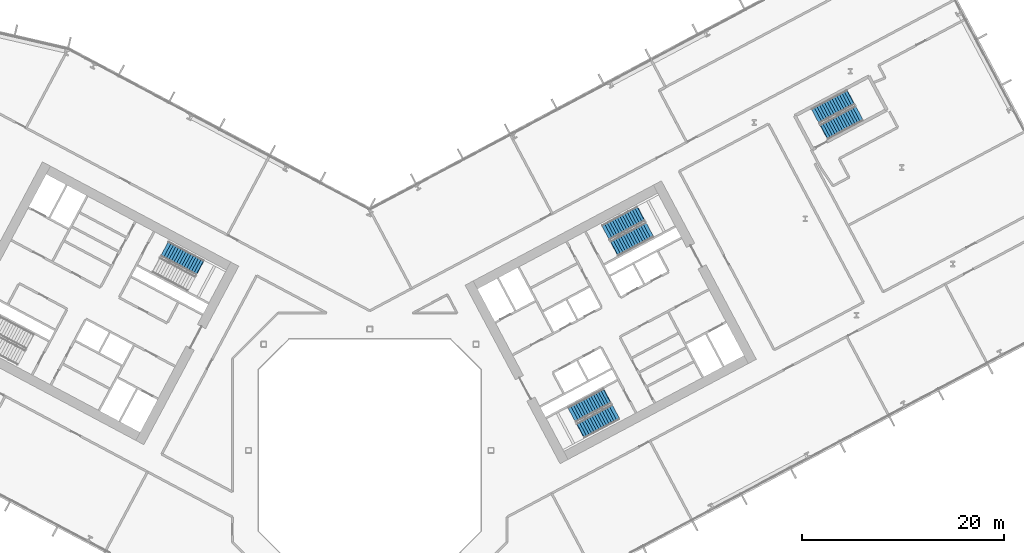
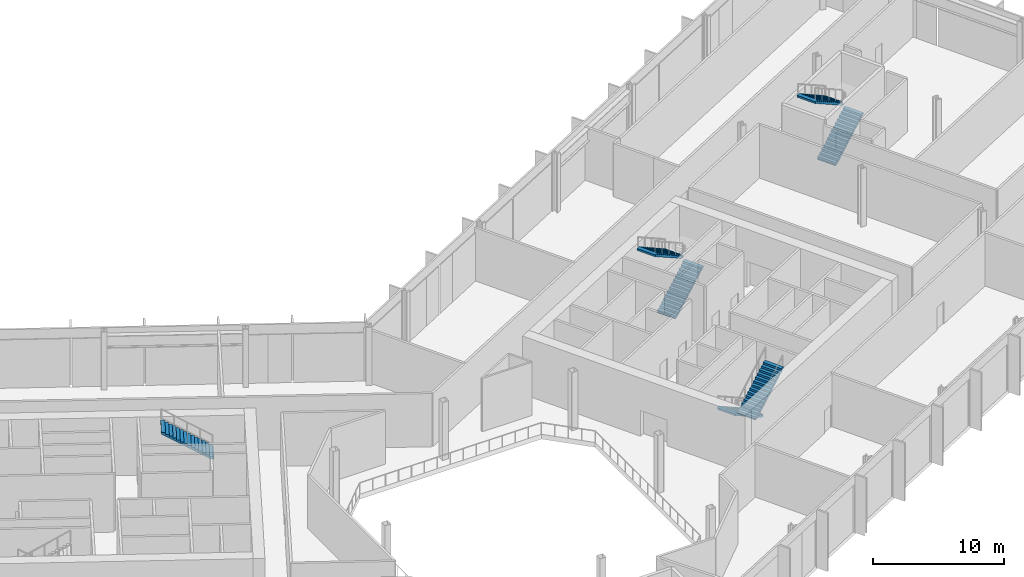
# One storey, part 19 of 32: 7 stair flights, 4 elements without a shape of their own.
"""IFC4 building model written with IfcOpenShell, lengths in metres."""

from ifc_helpers import new_model, si_unit, direction, frame, origin, place, context, subcontext, project, spatial, polyline, outline, extrude, material, type_object, element, aggregate, save


model = new_model("IFC4")

# Units and contexts
model_context = context("Model", 3, precision=1e-05, world=origin(), true_north=direction((0.0, 1.0)))
body_context = subcontext(model_context, "Body", "Model", "MODEL_VIEW")
ifc_project = project(units=[si_unit("LENGTHUNIT", "METRE"), si_unit("AREAUNIT", "SQUARE_METRE"), si_unit("VOLUMEUNIT", "CUBIC_METRE"), si_unit("PLANEANGLEUNIT", "RADIAN"), si_unit("MASSUNIT", "GRAM", prefix="KILO")], contexts=[model_context])

# Site, building, storey
site_placement = place(None, origin())
site = spatial("IfcSite", under=ifc_project, at=site_placement, CompositionType="ELEMENT")
building_placement = place(site_placement, origin())
building = spatial("IfcBuilding", under=site, at=building_placement, Name="Cormorant Relay Tower", CompositionType="ELEMENT")
storey_placement = place(building_placement, frame((0.0, 0.0, 28.39990234375)))
storey = spatial("IfcBuildingStorey", under=building, at=storey_placement, Name="L05", CompositionType="ELEMENT", Elevation=28.39990234375)

# Stair, stair flight
ifc_material_1 = material(Name="Concrete 40 MPa", Category="concrete")
stair_type = type_object("IfcStairType", Name="Exit stair 1500", PredefinedType="HALF_TURN_STAIR", material=ifc_material_1)
stair_1_placement = place(storey_placement, origin())
stair_1 = element("IfcStair", 1, at=stair_1_placement, inside=storey, type_object=stair_type, Name="L05 Stair", PredefinedType="HALF_TURN_STAIR")
ifc_material_2 = material(Name="Concrete 40 MPa", Category="concrete")
stair_flight_type = type_object("IfcStairFlightType", Name="Exit stair flight 1650", PredefinedType="STRAIGHT", material=ifc_material_2)
stair_flight_1_placement = place(storey_placement, frame((-16.80810546875, 18.08251953125, 2.7001953125), z_axis=(0.0, 0.0, 1.0), x_axis=(-0.882947592859, 0.469471562786, 0.0)))
stair_flight_1 = element("IfcStairFlight", 2, at=stair_flight_1_placement, type_object=stair_flight_type, Name="A1 flight 2", NumberOfRisers=15, NumberOfTreads=14, PredefinedType="STRAIGHT", RiserHeight=0.18, TreadLength=0.28, context=body_context, shape_type="SweptSolid", body=[
    extrude(outline(polyline([(-0.050048828125, -0.080078125), (-0.050048828125, 0.0), (0.0, 0.0), (0.0, 0.179931640625), (0.280029296875, 0.179931640625), (0.280029296875, 0.360107421875), (0.56005859375, 0.360107421875), (0.56005859375, 0.5400390625), (0.840087890625, 0.5400390625), (0.840087890625, 0.719970703125), (1.1201171875, 0.719970703125), (1.1201171875, 0.89990234375), (1.39990234375, 0.89990234375), (1.39990234375, 1.080078125), (1.679931640625, 1.080078125), (1.679931640625, 1.260009765625), (1.9599609375, 1.260009765625), (1.9599609375, 1.43994140625), (2.239990234375, 1.43994140625), (2.239990234375, 1.6201171875), (2.52001953125, 1.6201171875), (2.52001953125, 1.800048828125), (2.800048828125, 1.800048828125), (2.800048828125, 1.97998046875), (3.080078125, 1.97998046875), (3.080078125, 2.159912109375), (3.360107421875, 2.159912109375), (3.360107421875, 2.340087890625), (3.639892578125, 2.340087890625), (3.639892578125, 2.52001953125), (3.919921875, 2.52001953125), (3.969970703125, 2.52001953125), (3.969970703125, 2.341796875), (3.919921875, 2.341796875), (0.277099609375, 0.0), (-0.050048828125, -0.080078125)])), frame((0.0, 0.824951171875, 0.0), z_axis=(0.0, -1.0, 0.0), x_axis=(1.0, 0.0, 0.0)), (0.0, 0.0, 1.0), 1.64990234375),
])
aggregate(stair_1, [stair_flight_1])

# Stair, stair flights
stair_2_placement = place(storey_placement, origin())
stair_2 = element("IfcStair", 3, at=stair_2_placement, inside=storey, type_object=stair_type, Name="L05 Stair", PredefinedType="HALF_TURN_STAIR")
stair_flight_2_placement = place(storey_placement, frame((23.474365234375, 5.374755859375, 0.0), z_axis=(0.0, 0.0, 1.0), x_axis=(-0.882947592859, -0.469471562786, 0.0)))
stair_flight_2 = element("IfcStairFlight", 4, at=stair_flight_2_placement, type_object=stair_flight_type, Name="B1 flight 1", NumberOfRisers=15, NumberOfTreads=14, PredefinedType="STRAIGHT", RiserHeight=0.18, TreadLength=0.28, context=body_context, shape_type="SweptSolid", body=[
    extrude(outline(polyline([(-0.050048828125, -0.080078125), (-0.050048828125, 0.0), (0.0, 0.0), (0.0, 0.179931640625), (0.280029296875, 0.179931640625), (0.280029296875, 0.360107421875), (0.56005859375, 0.360107421875), (0.56005859375, 0.5400390625), (0.840087890625, 0.5400390625), (0.840087890625, 0.719970703125), (1.1201171875, 0.719970703125), (1.1201171875, 0.89990234375), (1.39990234375, 0.89990234375), (1.39990234375, 1.080078125), (1.679931640625, 1.080078125), (1.679931640625, 1.260009765625), (1.9599609375, 1.260009765625), (1.9599609375, 1.43994140625), (2.239990234375, 1.43994140625), (2.239990234375, 1.6201171875), (2.52001953125, 1.6201171875), (2.52001953125, 1.800048828125), (2.800048828125, 1.800048828125), (2.800048828125, 1.97998046875), (3.080078125, 1.97998046875), (3.080078125, 2.159912109375), (3.360107421875, 2.159912109375), (3.360107421875, 2.340087890625), (3.639892578125, 2.340087890625), (3.639892578125, 2.52001953125), (3.919921875, 2.52001953125), (3.969970703125, 2.52001953125), (3.969970703125, 2.341796875), (3.919921875, 2.341796875), (0.277099609375, 0.0), (-0.050048828125, -0.080078125)])), frame((0.0, 0.824951171875, 0.0), z_axis=(0.0, -1.0, 0.0), x_axis=(1.0, 0.0, 0.0)), (0.0, 0.0, 1.0), 1.64990234375),
])
stair_flight_3_placement = place(storey_placement, frame((20.8583984375, 1.945068359375, 2.7001953125), z_axis=(0.0, 0.0, 1.0), x_axis=(0.882947592859, 0.469471562786, 0.0)))
stair_flight_3 = element("IfcStairFlight", 5, at=stair_flight_3_placement, type_object=stair_flight_type, Name="B1 flight 2", NumberOfRisers=15, NumberOfTreads=14, PredefinedType="STRAIGHT", RiserHeight=0.18, TreadLength=0.28, context=body_context, shape_type="SweptSolid", body=[
    extrude(outline(polyline([(-0.050048828125, -0.080078125), (-0.050048828125, 0.0), (0.0, 0.0), (0.0, 0.179931640625), (0.280029296875, 0.179931640625), (0.280029296875, 0.360107421875), (0.56005859375, 0.360107421875), (0.56005859375, 0.5400390625), (0.840087890625, 0.5400390625), (0.840087890625, 0.719970703125), (1.1201171875, 0.719970703125), (1.1201171875, 0.89990234375), (1.39990234375, 0.89990234375), (1.39990234375, 1.080078125), (1.679931640625, 1.080078125), (1.679931640625, 1.260009765625), (1.9599609375, 1.260009765625), (1.9599609375, 1.43994140625), (2.239990234375, 1.43994140625), (2.239990234375, 1.6201171875), (2.52001953125, 1.6201171875), (2.52001953125, 1.800048828125), (2.800048828125, 1.800048828125), (2.800048828125, 1.97998046875), (3.080078125, 1.97998046875), (3.080078125, 2.159912109375), (3.360107421875, 2.159912109375), (3.360107421875, 2.340087890625), (3.639892578125, 2.340087890625), (3.639892578125, 2.52001953125), (3.919921875, 2.52001953125), (3.969970703125, 2.52001953125), (3.969970703125, 2.341796875), (3.919921875, 2.341796875), (0.277099609375, 0.0), (-0.050048828125, -0.080078125)])), frame((0.0, 0.824951171875, 0.0), z_axis=(0.0, -1.0, 0.0), x_axis=(1.0, 0.0, 0.0)), (0.0, 0.0, 1.0), 1.64990234375),
])
aggregate(stair_2, [stair_flight_2, stair_flight_3])

stair_3_placement = place(storey_placement, origin())
stair_3 = element("IfcStair", 6, at=stair_3_placement, inside=storey, type_object=stair_type, Name="L05 Stair", PredefinedType="HALF_TURN_STAIR")
stair_flight_4_placement = place(storey_placement, frame((24.20458984375, 19.976806640625, 0.0), z_axis=(0.0, 0.0, 1.0), x_axis=(0.882947592859, 0.469471562786, 0.0)))
stair_flight_4 = element("IfcStairFlight", 7, at=stair_flight_4_placement, type_object=stair_flight_type, Name="B2 flight 1", NumberOfRisers=15, NumberOfTreads=14, PredefinedType="STRAIGHT", RiserHeight=0.18, TreadLength=0.28, context=body_context, shape_type="SweptSolid", body=[
    extrude(outline(polyline([(-0.050048828125, -0.080078125), (-0.050048828125, 0.0), (0.0, 0.0), (0.0, 0.179931640625), (0.280029296875, 0.179931640625), (0.280029296875, 0.360107421875), (0.56005859375, 0.360107421875), (0.56005859375, 0.5400390625), (0.840087890625, 0.5400390625), (0.840087890625, 0.719970703125), (1.1201171875, 0.719970703125), (1.1201171875, 0.89990234375), (1.39990234375, 0.89990234375), (1.39990234375, 1.080078125), (1.679931640625, 1.080078125), (1.679931640625, 1.260009765625), (1.9599609375, 1.260009765625), (1.9599609375, 1.43994140625), (2.239990234375, 1.43994140625), (2.239990234375, 1.6201171875), (2.52001953125, 1.6201171875), (2.52001953125, 1.800048828125), (2.800048828125, 1.800048828125), (2.800048828125, 1.97998046875), (3.080078125, 1.97998046875), (3.080078125, 2.159912109375), (3.360107421875, 2.159912109375), (3.360107421875, 2.340087890625), (3.639892578125, 2.340087890625), (3.639892578125, 2.52001953125), (3.919921875, 2.52001953125), (3.969970703125, 2.52001953125), (3.969970703125, 2.341796875), (3.919921875, 2.341796875), (0.277099609375, 0.0), (-0.050048828125, -0.080078125)])), frame((0.0, 0.824951171875, 0.0), z_axis=(0.0, -1.0, 0.0), x_axis=(1.0, 0.0, 0.0)), (0.0, 0.0, 1.0), 1.64990234375),
])
stair_flight_5_placement = place(storey_placement, frame((26.82080078125, 23.406494140625, 2.7001953125), z_axis=(0.0, 0.0, 1.0), x_axis=(-0.882947592859, -0.469471562786, 0.0)))
stair_flight_5 = element("IfcStairFlight", 8, at=stair_flight_5_placement, type_object=stair_flight_type, Name="B2 flight 2", NumberOfRisers=15, NumberOfTreads=14, PredefinedType="STRAIGHT", RiserHeight=0.18, TreadLength=0.28, context=body_context, shape_type="SweptSolid", body=[
    extrude(outline(polyline([(-0.050048828125, -0.080078125), (-0.050048828125, 0.0), (0.0, 0.0), (0.0, 0.179931640625), (0.280029296875, 0.179931640625), (0.280029296875, 0.360107421875), (0.56005859375, 0.360107421875), (0.56005859375, 0.5400390625), (0.840087890625, 0.5400390625), (0.840087890625, 0.719970703125), (1.1201171875, 0.719970703125), (1.1201171875, 0.89990234375), (1.39990234375, 0.89990234375), (1.39990234375, 1.080078125), (1.679931640625, 1.080078125), (1.679931640625, 1.260009765625), (1.9599609375, 1.260009765625), (1.9599609375, 1.43994140625), (2.239990234375, 1.43994140625), (2.239990234375, 1.6201171875), (2.52001953125, 1.6201171875), (2.52001953125, 1.800048828125), (2.800048828125, 1.800048828125), (2.800048828125, 1.97998046875), (3.080078125, 1.97998046875), (3.080078125, 2.159912109375), (3.360107421875, 2.159912109375), (3.360107421875, 2.340087890625), (3.639892578125, 2.340087890625), (3.639892578125, 2.52001953125), (3.919921875, 2.52001953125), (3.969970703125, 2.52001953125), (3.969970703125, 2.341796875), (3.919921875, 2.341796875), (0.277099609375, 0.0), (-0.050048828125, -0.080078125)])), frame((0.0, 0.824951171875, 0.0), z_axis=(0.0, -1.0, 0.0), x_axis=(1.0, 0.0, 0.0)), (0.0, 0.0, 1.0), 1.64990234375),
])
aggregate(stair_3, [stair_flight_4, stair_flight_5])

stair_4_placement = place(storey_placement, origin())
stair_4 = element("IfcStair", 9, at=stair_4_placement, inside=storey, type_object=stair_type, Name="L05 Stair", PredefinedType="HALF_TURN_STAIR")
stair_flight_6_placement = place(storey_placement, frame((44.947509765625, 31.502197265625, 0.0), z_axis=(0.0, 0.0, 1.0), x_axis=(0.882947502727, 0.4694717323, 0.0)))
stair_flight_6 = element("IfcStairFlight", 10, at=stair_flight_6_placement, type_object=stair_flight_type, Name="RB1 flight 1", NumberOfRisers=15, NumberOfTreads=14, PredefinedType="STRAIGHT", RiserHeight=0.18, TreadLength=0.28, context=body_context, shape_type="SweptSolid", body=[
    extrude(outline(polyline([(-0.050048828125, -0.080078125), (-0.050048828125, 0.0), (0.0, 0.0), (0.0, 0.179931640625), (0.280029296875, 0.179931640625), (0.280029296875, 0.360107421875), (0.56005859375, 0.360107421875), (0.56005859375, 0.5400390625), (0.840087890625, 0.5400390625), (0.840087890625, 0.719970703125), (1.1201171875, 0.719970703125), (1.1201171875, 0.89990234375), (1.39990234375, 0.89990234375), (1.39990234375, 1.080078125), (1.679931640625, 1.080078125), (1.679931640625, 1.260009765625), (1.9599609375, 1.260009765625), (1.9599609375, 1.43994140625), (2.239990234375, 1.43994140625), (2.239990234375, 1.6201171875), (2.52001953125, 1.6201171875), (2.52001953125, 1.800048828125), (2.800048828125, 1.800048828125), (2.800048828125, 1.97998046875), (3.080078125, 1.97998046875), (3.080078125, 2.159912109375), (3.360107421875, 2.159912109375), (3.360107421875, 2.340087890625), (3.639892578125, 2.340087890625), (3.639892578125, 2.52001953125), (3.919921875, 2.52001953125), (3.969970703125, 2.52001953125), (3.969970703125, 2.341796875), (3.919921875, 2.341796875), (0.277099609375, 0.0), (-0.050048828125, -0.080078125)])), frame((0.0, 0.824951171875, 0.0), z_axis=(0.0, -1.0, 0.0), x_axis=(1.0, 0.0, 0.0)), (0.0, 0.0, 1.0), 1.64990234375),
])
stair_flight_7_placement = place(storey_placement, frame((47.563720703125, 34.931640625, 2.7001953125), z_axis=(0.0, 0.0, 1.0), x_axis=(-0.882947502727, -0.4694717323, 0.0)))
stair_flight_7 = element("IfcStairFlight", 11, at=stair_flight_7_placement, type_object=stair_flight_type, Name="RB1 flight 2", NumberOfRisers=15, NumberOfTreads=14, PredefinedType="STRAIGHT", RiserHeight=0.18, TreadLength=0.28, context=body_context, shape_type="SweptSolid", body=[
    extrude(outline(polyline([(-0.050048828125, -0.080078125), (-0.050048828125, 0.0), (0.0, 0.0), (0.0, 0.179931640625), (0.280029296875, 0.179931640625), (0.280029296875, 0.360107421875), (0.56005859375, 0.360107421875), (0.56005859375, 0.5400390625), (0.840087890625, 0.5400390625), (0.840087890625, 0.719970703125), (1.1201171875, 0.719970703125), (1.1201171875, 0.89990234375), (1.39990234375, 0.89990234375), (1.39990234375, 1.080078125), (1.679931640625, 1.080078125), (1.679931640625, 1.260009765625), (1.9599609375, 1.260009765625), (1.9599609375, 1.43994140625), (2.239990234375, 1.43994140625), (2.239990234375, 1.6201171875), (2.52001953125, 1.6201171875), (2.52001953125, 1.800048828125), (2.800048828125, 1.800048828125), (2.800048828125, 1.97998046875), (3.080078125, 1.97998046875), (3.080078125, 2.159912109375), (3.360107421875, 2.159912109375), (3.360107421875, 2.340087890625), (3.639892578125, 2.340087890625), (3.639892578125, 2.52001953125), (3.919921875, 2.52001953125), (3.969970703125, 2.52001953125), (3.969970703125, 2.341796875), (3.919921875, 2.341796875), (0.277099609375, 0.0), (-0.050048828125, -0.080078125)])), frame((0.0, 0.824951171875, 0.0), z_axis=(0.0, -1.0, 0.0), x_axis=(1.0, 0.0, 0.0)), (0.0, 0.0, 1.0), 1.64990234375),
])
aggregate(stair_4, [stair_flight_6, stair_flight_7])

save(model, "model.ifc")
